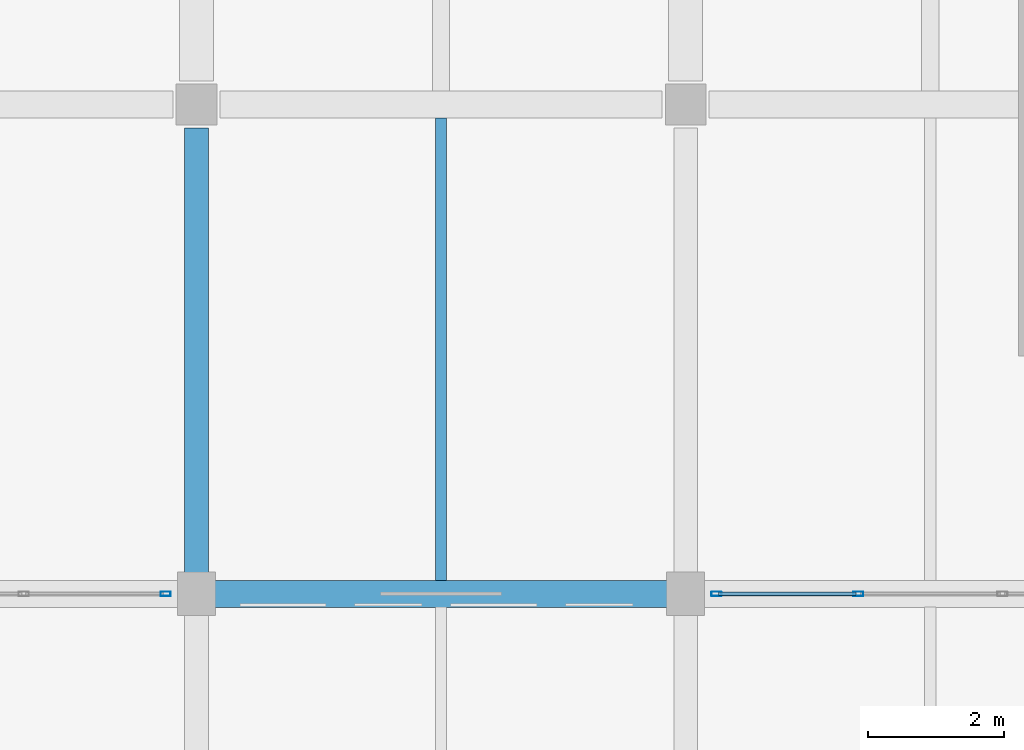
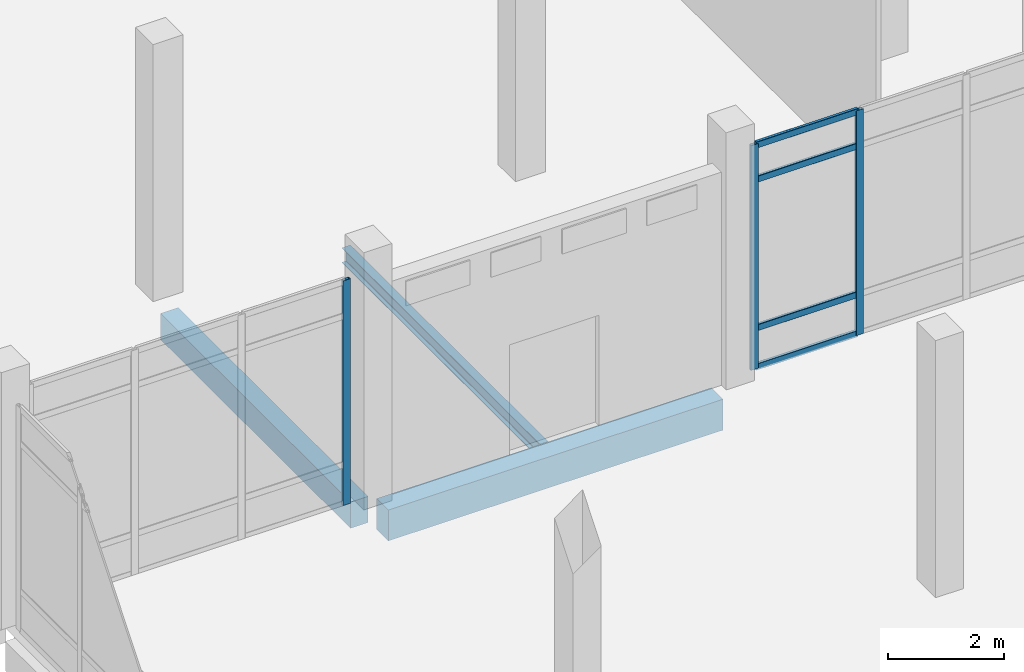
# One storey, part 125 of 180: 7 members, 3 beams, 2 elements without a shape of their own.
"""IFC4 building model written with IfcOpenShell, lengths in metres."""

from ifc_helpers import new_model, si_unit, direction, frame, origin, origin_2d, place, context, subcontext, project, spatial, rectangle, hollow_rectangle, i_section, extrude, material, material_profile, profile_set, type_object, element, aggregate, save


model = new_model("IFC4")

# Units and contexts
model_context = context("Model", 3, precision=1e-05, world=origin(), true_north=direction((0.0, 1.0)))
body_context = subcontext(model_context, "Body", "Model", "MODEL_VIEW")
ifc_project = project(units=[si_unit("LENGTHUNIT", "METRE"), si_unit("AREAUNIT", "SQUARE_METRE"), si_unit("VOLUMEUNIT", "CUBIC_METRE"), si_unit("PLANEANGLEUNIT", "RADIAN"), si_unit("MASSUNIT", "GRAM", prefix="KILO")], contexts=[model_context])

# Site, building, storey
site_placement = place(None, origin())
site = spatial("IfcSite", under=ifc_project, at=site_placement, CompositionType="ELEMENT")
building_placement = place(site_placement, origin())
building = spatial("IfcBuilding", under=site, at=building_placement, Name="Lusvemor Sports Hall", CompositionType="ELEMENT")
storey_placement = place(building_placement, frame((0.0, 0.0, 5.39990234375)))
storey = spatial("IfcBuildingStorey", under=building, at=storey_placement, Name="L01", CompositionType="ELEMENT", Elevation=5.39990234375)

# Beams
ifc_material_1 = material(Name="Concrete C40/50", Category="concrete")
ifc_material_profile_1 = material_profile(ifc_material_1, rectangle(XDim=0.35009765625, YDim=0.550048828125, at=origin_2d()), Name="RC350x550")
ifc_profile_set_1 = profile_set([ifc_material_profile_1], Name="Concrete C40/50")
beam_type_1 = type_object("IfcBeamType", Name="BEAM_RC_550", PredefinedType="BEAM", material=ifc_profile_set_1)
beam_1_placement = place(storey_placement, frame((126.0, 97.51611328125, -0.534912109375), z_axis=(0.0, 1.0, 0.0), x_axis=(-1.0, 0.0, 0.0)))
element("IfcBeam", 1, at=beam_1_placement, inside=storey, type_object=beam_type_1, Name="Beam L01 14:N-P", PredefinedType="BEAM", context=body_context, shape_type="SweptSolid", body=[
    extrude(rectangle(XDim=0.35009765625, YDim=0.550048828125, at=origin_2d()), origin(), (0.0, 0.0, 1.0), 6.537841796875),
])
ifc_material_2 = material(Name="Concrete C40/50", Category="concrete")
ifc_material_profile_2 = material_profile(ifc_material_2, rectangle(XDim=0.39990234375, YDim=0.64990234375, at=origin_2d()), Name="RC400x650")
ifc_profile_set_2 = profile_set([ifc_material_profile_2], Name="Concrete C40/50")
beam_type_2 = type_object("IfcBeamType", Name="BEAM_RC_650", PredefinedType="BEAM", material=ifc_profile_set_2)
beam_2_placement = place(storey_placement, frame((126.27587890625, 97.199951171875, -0.594970703125), z_axis=(1.0, 0.0, 0.0), x_axis=(0.0, 1.0, 0.0)))
element("IfcBeam", 2, at=beam_2_placement, inside=storey, type_object=beam_type_2, Name="Beam L01 N:14-15", PredefinedType="BEAM", context=body_context, shape_type="SweptSolid", body=[
    extrude(rectangle(XDim=0.39990234375, YDim=0.64990234375, at=origin_2d()), origin(), (0.0, 0.0, 1.0), 6.648193359375),
])

# Curtain wall, member
ifc_material_3 = material(Name="Thermally broken bronze-anodized aluminium", Category="aluminium")
curtain_wall_type = type_object("IfcCurtainWallType", Name="CW_WING_B", PredefinedType="NOTDEFINED", material=ifc_material_3)
curtain_wall_1_placement = place(storey_placement, origin())
curtain_wall_1 = element("IfcCurtainWall", 3, at=curtain_wall_1_placement, inside=storey, type_object=curtain_wall_type, Name="Curtain Wall CW-L01-S-3-10", PredefinedType="NOTDEFINED")
ifc_material_4 = material(Name="Thermally broken bronze-anodized aluminium", Category="aluminium")
ifc_material_profile_3 = material_profile(ifc_material_4, hollow_rectangle(XDim=0.06494140625, YDim=0.14990234375, WallThickness=0.00390625, InnerFilletRadius=0.00390625, OuterFilletRadius=0.008056640625, at=origin_2d()), Name="CWMUL150x65x4")
ifc_profile_set_3 = profile_set([ifc_material_profile_3], Name="Thermally broken bronze-anodized aluminium")
member_type_1 = type_object("IfcMemberType", Name="CW_MUL_B", PredefinedType="MULLION", material=ifc_profile_set_3)
member_1_placement = place(storey_placement, frame((125.547607421875, 97.199951171875, 0.0), z_axis=(0.0, 0.0, 1.0), x_axis=(0.0, -1.0, 0.0)))
member_1 = element("IfcMember", 4, at=member_1_placement, type_object=member_type_1, Name="CW02 mullion 1", PredefinedType="MULLION", context=body_context, shape_type="SweptSolid", body=[
    extrude(hollow_rectangle(XDim=0.06494140625, YDim=0.14990234375, WallThickness=0.00390625, InnerFilletRadius=0.00390625, OuterFilletRadius=0.008056640625, at=origin_2d()), origin(), (0.0, 0.0, 1.0), 4.72021484375),
])
aggregate(curtain_wall_1, [member_1])

# Curtain wall, members
curtain_wall_2_placement = place(storey_placement, origin())
curtain_wall_2 = element("IfcCurtainWall", 5, at=curtain_wall_2_placement, inside=storey, type_object=curtain_wall_type, Name="Curtain Wall CW-L01-S-3-12", PredefinedType="NOTDEFINED")
member_2_placement = place(storey_placement, frame((135.739990234375, 97.199951171875, 0.0), z_axis=(0.0, 0.0, 1.0), x_axis=(0.0, -1.0, 0.0)))
member_2 = element("IfcMember", 6, at=member_2_placement, type_object=member_type_1, Name="CW02 mullion 3", PredefinedType="MULLION", context=body_context, shape_type="SweptSolid", body=[
    extrude(hollow_rectangle(XDim=0.06494140625, YDim=0.14990234375, WallThickness=0.00390625, InnerFilletRadius=0.00390625, OuterFilletRadius=0.008056640625, at=origin_2d()), origin(), (0.0, 0.0, 1.0), 4.72021484375),
])
member_3_placement = place(storey_placement, frame((133.652587890625, 97.199951171875, 0.0), z_axis=(0.0, 0.0, 1.0), x_axis=(0.0, -1.0, 0.0)))
member_3 = element("IfcMember", 7, at=member_3_placement, type_object=member_type_1, Name="CW02 mullion 4", PredefinedType="MULLION", context=body_context, shape_type="SweptSolid", body=[
    extrude(hollow_rectangle(XDim=0.06494140625, YDim=0.14990234375, WallThickness=0.00390625, InnerFilletRadius=0.00390625, OuterFilletRadius=0.008056640625, at=origin_2d()), origin(), (0.0, 0.0, 1.0), 4.72021484375),
])
ifc_material_5 = material(Name="Thermally broken bronze-anodized aluminium", Category="aluminium")
ifc_material_profile_4 = material_profile(ifc_material_5, hollow_rectangle(XDim=0.06005859375, YDim=0.135009765625, WallThickness=0.00390625, InnerFilletRadius=0.00390625, OuterFilletRadius=0.008056640625, at=origin_2d()), Name="CWTRN135x60x4")
ifc_profile_set_4 = profile_set([ifc_material_profile_4], Name="Thermally broken bronze-anodized aluminium")
member_type_2 = type_object("IfcMemberType", Name="CW_TRN_B", PredefinedType="USERDEFINED", material=ifc_profile_set_4)
member_4_placement = place(storey_placement, frame((135.70751953125, 97.199951171875, 0.030029296875), z_axis=(-1.0, 0.0, 0.0), x_axis=(0.0, -1.0, 0.0)))
member_4 = element("IfcMember", 8, at=member_4_placement, type_object=member_type_2, Name="CW02 transom 3.1", ObjectType="TRANSOM", PredefinedType="USERDEFINED", context=body_context, shape_type="SweptSolid", body=[
    extrude(hollow_rectangle(XDim=0.06005859375, YDim=0.135009765625, WallThickness=0.00390625, InnerFilletRadius=0.00390625, OuterFilletRadius=0.008056640625, at=origin_2d()), origin(), (0.0, 0.0, 1.0), 2.0224609375),
])
member_5_placement = place(storey_placement, frame((135.70751953125, 97.199951171875, 0.85009765625), z_axis=(-1.0, 0.0, 0.0), x_axis=(0.0, -1.0, 0.0)))
member_5 = element("IfcMember", 9, at=member_5_placement, type_object=member_type_2, Name="CW02 transom 3.2", ObjectType="TRANSOM", PredefinedType="USERDEFINED", context=body_context, shape_type="SweptSolid", body=[
    extrude(hollow_rectangle(XDim=0.06005859375, YDim=0.135009765625, WallThickness=0.00390625, InnerFilletRadius=0.00390625, OuterFilletRadius=0.008056640625, at=origin_2d()), origin(), (0.0, 0.0, 1.0), 2.0224609375),
])
member_6_placement = place(storey_placement, frame((135.70751953125, 97.199951171875, 3.97021484375), z_axis=(-1.0, 0.0, 0.0), x_axis=(0.0, -1.0, 0.0)))
member_6 = element("IfcMember", 10, at=member_6_placement, type_object=member_type_2, Name="CW02 transom 3.3", ObjectType="TRANSOM", PredefinedType="USERDEFINED", context=body_context, shape_type="SweptSolid", body=[
    extrude(hollow_rectangle(XDim=0.06005859375, YDim=0.135009765625, WallThickness=0.00390625, InnerFilletRadius=0.00390625, OuterFilletRadius=0.008056640625, at=origin_2d()), origin(), (0.0, 0.0, 1.0), 2.0224609375),
])
member_7_placement = place(storey_placement, frame((135.70751953125, 97.199951171875, 4.690185546875), z_axis=(-1.0, 0.0, 0.0), x_axis=(0.0, -1.0, 0.0)))
member_7 = element("IfcMember", 11, at=member_7_placement, type_object=member_type_2, Name="CW02 transom 3.4", ObjectType="TRANSOM", PredefinedType="USERDEFINED", context=body_context, shape_type="SweptSolid", body=[
    extrude(hollow_rectangle(XDim=0.06005859375, YDim=0.135009765625, WallThickness=0.00390625, InnerFilletRadius=0.00390625, OuterFilletRadius=0.008056640625, at=origin_2d()), origin(), (0.0, 0.0, 1.0), 2.0224609375),
])
aggregate(curtain_wall_2, [member_2, member_3, member_4, member_5, member_6, member_7])

# Beam
ifc_material_6 = material(Name="Steel S355", Category="steel")
ifc_material_profile_5 = material_profile(ifc_material_6, i_section(OverallWidth=0.1669921875, OverallDepth=0.31689453125, WebThickness=0.007568359375, FlangeThickness=0.01318359375, FilletRadius=0.014892578125, at=origin_2d()), Name="W310x52.0")
ifc_profile_set_5 = profile_set([ifc_material_profile_5], Name="Steel S355")
beam_type_3 = type_object("IfcBeamType", Name="JOIST_ST_310M", PredefinedType="JOIST", material=ifc_profile_set_5)
beam_3_placement = place(storey_placement, frame((129.60009765625, 97.39599609375, -0.42236328125), z_axis=(0.0, 1.0, 0.0), x_axis=(-1.0, 0.0, 0.0)))
element("IfcBeam", 12, at=beam_3_placement, inside=storey, type_object=beam_type_3, Name="Secondary Joist L01 14-15/N-P #1", PredefinedType="JOIST", context=body_context, shape_type="SweptSolid", body=[
    extrude(i_section(OverallWidth=0.1669921875, OverallDepth=0.31689453125, WebThickness=0.007568359375, FlangeThickness=0.01318359375, FilletRadius=0.014892578125, at=origin_2d()), origin(), (0.0, 0.0, 1.0), 6.80810546875),
])

save(model, "model.ifc")
